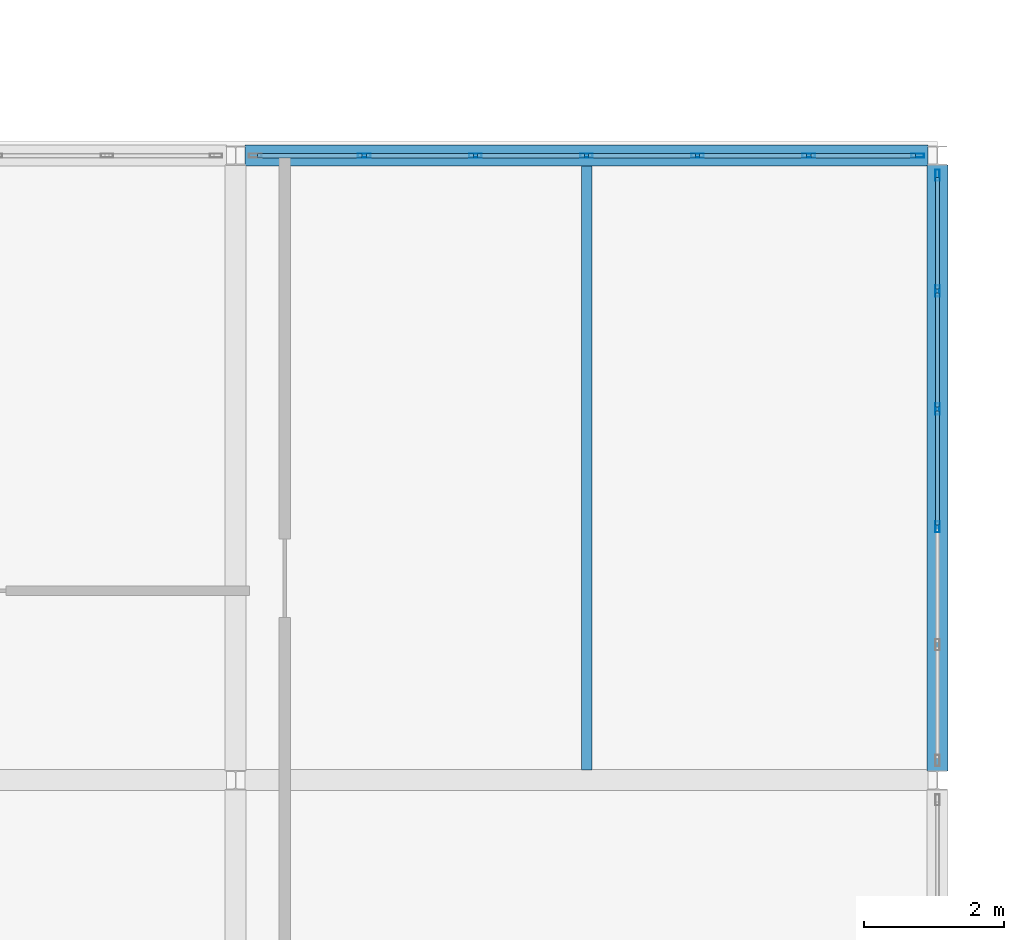
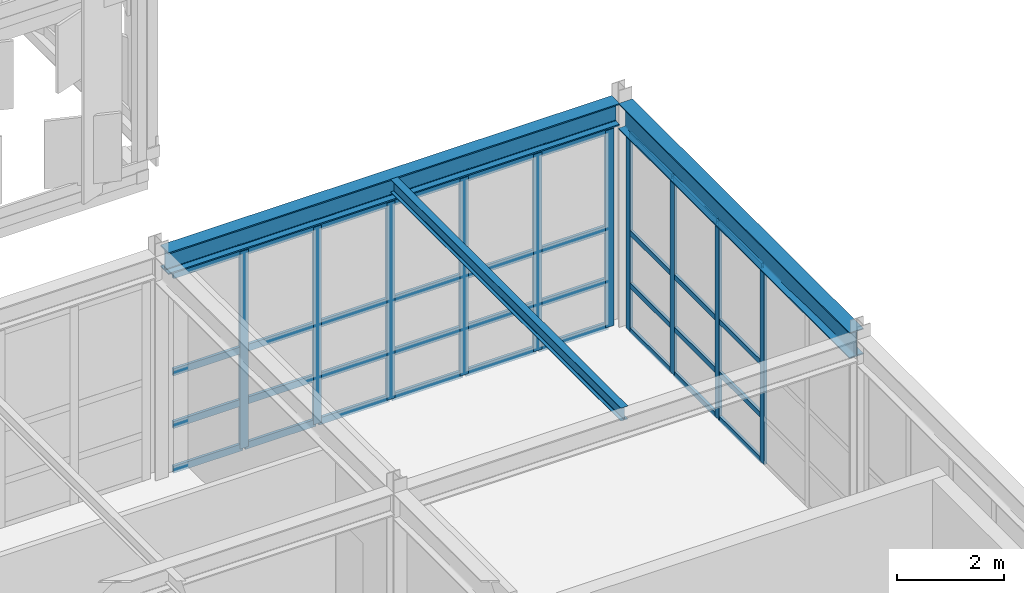
# One storey, part 154 of 239: 46 members, 3 beams, 2 elements without a shape of their own.
"""IFC4 building model written with IfcOpenShell, lengths in metres."""

from ifc_helpers import new_model, si_unit, direction, frame, origin, origin_2d, place, context, subcontext, project, spatial, hollow_rectangle, i_section, extrude, material, material_profile, profile_set, type_object, element, aggregate, save


model = new_model("IFC4")

# Units and contexts
model_context = context("Model", 3, precision=1e-05, world=origin(), true_north=direction((0.0, 1.0)))
body_context = subcontext(model_context, "Body", "Model", "MODEL_VIEW")
ifc_project = project(units=[si_unit("LENGTHUNIT", "METRE"), si_unit("AREAUNIT", "SQUARE_METRE"), si_unit("VOLUMEUNIT", "CUBIC_METRE"), si_unit("PLANEANGLEUNIT", "RADIAN"), si_unit("MASSUNIT", "GRAM", prefix="KILO")], contexts=[model_context])

# Site, building, storey
site_placement = place(None, origin())
site = spatial("IfcSite", under=ifc_project, at=site_placement, CompositionType="ELEMENT")
building_placement = place(site_placement, origin())
building = spatial("IfcBuilding", under=site, at=building_placement, Name="Kaldris Quays Convention Centre", CompositionType="ELEMENT")
storey_placement = place(building_placement, frame((0.0, 0.0, 11.39990234375)))
storey = spatial("IfcBuildingStorey", under=building, at=storey_placement, Name="L02", CompositionType="ELEMENT", Elevation=11.39990234375)

# Curtain wall, members
ifc_material_1 = material(Name="Anodized aluminium AW-6060 and triple glazing", Category="aluminium")
curtain_wall_type = type_object("IfcCurtainWallType", Name="UNITISED CURTAIN WALL CW02", PredefinedType="NOTDEFINED", material=ifc_material_1)
curtain_wall_1_placement = place(storey_placement, origin())
curtain_wall_1 = element("IfcCurtainWall", 1, at=curtain_wall_1_placement, inside=storey, type_object=curtain_wall_type, Name="L02 Unitised Curtain Wall CW02 212", PredefinedType="NOTDEFINED")
ifc_material_2 = material(Name="Anodized aluminium AW-6060", Category="aluminium")
ifc_material_profile_1 = material_profile(ifc_material_2, hollow_rectangle(XDim=0.06005859375, YDim=0.159912109375, WallThickness=0.00390625, at=origin_2d()), Name="RHS 160x60x4")
ifc_profile_set_1 = profile_set([ifc_material_profile_1], Name="Anodized aluminium AW-6060")
member_type_1 = type_object("IfcMemberType", Name="CURTAIN MULLION CWM1", PredefinedType="MULLION", material=ifc_profile_set_1)
member_1_placement = place(storey_placement, frame((204.0, 32.110107421875, 0.0), z_axis=(0.0, 0.0, 1.0), x_axis=(-1.0, 0.0, 0.0)))
member_1 = element("IfcMember", 2, at=member_1_placement, type_object=member_type_1, Name="CW02 mullion 3", PredefinedType="MULLION", context=body_context, shape_type="SweptSolid", body=[
    extrude(hollow_rectangle(XDim=0.06005859375, YDim=0.159912109375, WallThickness=0.00390625, at=origin_2d()), origin(), (0.0, 0.0, 1.0), 4.498046875),
])
member_2_placement = place(storey_placement, frame((204.0, 33.7900390625, 0.0), z_axis=(0.0, 0.0, 1.0), x_axis=(-1.0, 0.0, 0.0)))
member_2 = element("IfcMember", 3, at=member_2_placement, type_object=member_type_1, Name="CW02 mullion 4", PredefinedType="MULLION", context=body_context, shape_type="SweptSolid", body=[
    extrude(hollow_rectangle(XDim=0.06005859375, YDim=0.159912109375, WallThickness=0.00390625, at=origin_2d()), origin(), (0.0, 0.0, 1.0), 4.498046875),
])
member_3_placement = place(storey_placement, frame((204.0, 35.469970703125, 0.0), z_axis=(0.0, 0.0, 1.0), x_axis=(-1.0, 0.0, 0.0)))
member_3 = element("IfcMember", 4, at=member_3_placement, type_object=member_type_1, Name="CW02 mullion 5", PredefinedType="MULLION", context=body_context, shape_type="SweptSolid", body=[
    extrude(hollow_rectangle(XDim=0.06005859375, YDim=0.159912109375, WallThickness=0.00390625, at=origin_2d()), origin(), (0.0, 0.0, 1.0), 4.498046875),
])
member_4_placement = place(storey_placement, frame((204.0, 37.1201171875, 0.0), z_axis=(0.0, 0.0, 1.0), x_axis=(-1.0, 0.0, 0.0)))
member_4 = element("IfcMember", 5, at=member_4_placement, type_object=member_type_1, Name="CW02 mullion 6", PredefinedType="MULLION", context=body_context, shape_type="SweptSolid", body=[
    extrude(hollow_rectangle(XDim=0.06005859375, YDim=0.159912109375, WallThickness=0.00390625, at=origin_2d()), origin(), (0.0, 0.0, 1.0), 4.498046875),
])

curtain_wall_2_placement = place(storey_placement, origin())
curtain_wall_2 = element("IfcCurtainWall", 6, at=curtain_wall_2_placement, inside=storey, type_object=curtain_wall_type, Name="L02 Unitised Curtain Wall CW02 208", PredefinedType="NOTDEFINED")
ifc_material_profile_2 = material_profile(ifc_material_2, hollow_rectangle(XDim=0.06005859375, YDim=0.179931640625, WallThickness=0.0048828125, at=origin_2d()), Name="RHS 180x60x5")
ifc_profile_set_2 = profile_set([ifc_material_profile_2], Name="Anodized aluminium AW-6060")
member_type_2 = type_object("IfcMemberType", Name="CURTAIN MULLION CWM2", PredefinedType="MULLION", material=ifc_profile_set_2)
member_5_placement = place(storey_placement, frame((195.833251953125, 37.39990234375, 0.0), z_axis=(0.0, 0.0, 1.0), x_axis=(0.0, 1.0, 0.0)))
member_5 = element("IfcMember", 7, at=member_5_placement, type_object=member_type_2, Name="CW02 mullion 2", PredefinedType="MULLION", context=body_context, shape_type="SweptSolid", body=[
    extrude(hollow_rectangle(XDim=0.06005859375, YDim=0.179931640625, WallThickness=0.0048828125, at=origin_2d()), origin(), (0.0, 0.0, 1.0), 4.498046875),
])
member_6_placement = place(storey_placement, frame((197.416748046875, 37.39990234375, 0.0), z_axis=(0.0, 0.0, 1.0), x_axis=(0.0, 1.0, 0.0)))
member_6 = element("IfcMember", 8, at=member_6_placement, type_object=member_type_2, Name="CW02 mullion 3", PredefinedType="MULLION", context=body_context, shape_type="SweptSolid", body=[
    extrude(hollow_rectangle(XDim=0.06005859375, YDim=0.179931640625, WallThickness=0.0048828125, at=origin_2d()), origin(), (0.0, 0.0, 1.0), 4.498046875),
])
member_7_placement = place(storey_placement, frame((199.0, 37.39990234375, 0.0), z_axis=(0.0, 0.0, 1.0), x_axis=(0.0, 1.0, 0.0)))
member_7 = element("IfcMember", 9, at=member_7_placement, type_object=member_type_2, Name="CW02 mullion 4", PredefinedType="MULLION", context=body_context, shape_type="SweptSolid", body=[
    extrude(hollow_rectangle(XDim=0.06005859375, YDim=0.179931640625, WallThickness=0.0048828125, at=origin_2d()), origin(), (0.0, 0.0, 1.0), 4.498046875),
])
member_8_placement = place(storey_placement, frame((200.583251953125, 37.39990234375, 0.0), z_axis=(0.0, 0.0, 1.0), x_axis=(0.0, 1.0, 0.0)))
member_8 = element("IfcMember", 10, at=member_8_placement, type_object=member_type_2, Name="CW02 mullion 5", PredefinedType="MULLION", context=body_context, shape_type="SweptSolid", body=[
    extrude(hollow_rectangle(XDim=0.06005859375, YDim=0.179931640625, WallThickness=0.0048828125, at=origin_2d()), origin(), (0.0, 0.0, 1.0), 4.498046875),
])
member_9_placement = place(storey_placement, frame((202.166748046875, 37.39990234375, 0.0), z_axis=(0.0, 0.0, 1.0), x_axis=(0.0, 1.0, 0.0)))
member_9 = element("IfcMember", 11, at=member_9_placement, type_object=member_type_2, Name="CW02 mullion 6", PredefinedType="MULLION", context=body_context, shape_type="SweptSolid", body=[
    extrude(hollow_rectangle(XDim=0.06005859375, YDim=0.179931640625, WallThickness=0.0048828125, at=origin_2d()), origin(), (0.0, 0.0, 1.0), 4.498046875),
])
member_10_placement = place(storey_placement, frame((203.719970703125, 37.39990234375, 0.0), z_axis=(0.0, 0.0, 1.0), x_axis=(0.0, 1.0, 0.0)))
member_10 = element("IfcMember", 12, at=member_10_placement, type_object=member_type_2, Name="CW02 mullion 7", PredefinedType="MULLION", context=body_context, shape_type="SweptSolid", body=[
    extrude(hollow_rectangle(XDim=0.06005859375, YDim=0.179931640625, WallThickness=0.0048828125, at=origin_2d()), origin(), (0.0, 0.0, 1.0), 4.498046875),
])

# Member
ifc_material_profile_3 = material_profile(ifc_material_2, hollow_rectangle(XDim=0.06005859375, YDim=0.1201171875, WallThickness=0.00390625, at=origin_2d()), Name="RHS 120x60x4")
ifc_profile_set_3 = profile_set([ifc_material_profile_3], Name="Anodized aluminium AW-6060")
member_type_3 = type_object("IfcMemberType", Name="CURTAIN TRANSOM CWT1", PredefinedType="USERDEFINED", material=ifc_profile_set_3)
member_11_placement = place(storey_placement, frame((204.0, 32.139892578125, 0.030029296875), z_axis=(0.0, 1.0, 0.0), x_axis=(-1.0, 0.0, 0.0)))
member_11 = element("IfcMember", 13, at=member_11_placement, type_object=member_type_3, Name="CW02 transom 3.1", ObjectType="TRANSOM", PredefinedType="USERDEFINED", context=body_context, shape_type="SweptSolid", body=[
    extrude(hollow_rectangle(XDim=0.06005859375, YDim=0.1201171875, WallThickness=0.00390625, at=origin_2d()), origin(), (0.0, 0.0, 1.0), 1.6201171875),
])

member_12_placement = place(storey_placement, frame((204.0, 32.139892578125, 1.050048828125), z_axis=(0.0, 1.0, 0.0), x_axis=(-1.0, 0.0, 0.0)))
member_12 = element("IfcMember", 14, at=member_12_placement, type_object=member_type_3, Name="CW02 transom 3.2", ObjectType="TRANSOM", PredefinedType="USERDEFINED", context=body_context, shape_type="SweptSolid", body=[
    extrude(hollow_rectangle(XDim=0.06005859375, YDim=0.1201171875, WallThickness=0.00390625, at=origin_2d()), origin(), (0.0, 0.0, 1.0), 1.6201171875),
])

member_13_placement = place(storey_placement, frame((204.0, 32.139892578125, 2.2490234375), z_axis=(0.0, 1.0, 0.0), x_axis=(-1.0, 0.0, 0.0)))
member_13 = element("IfcMember", 15, at=member_13_placement, type_object=member_type_3, Name="CW02 transom 3.3", ObjectType="TRANSOM", PredefinedType="USERDEFINED", context=body_context, shape_type="SweptSolid", body=[
    extrude(hollow_rectangle(XDim=0.06005859375, YDim=0.1201171875, WallThickness=0.00390625, at=origin_2d()), origin(), (0.0, 0.0, 1.0), 1.6201171875),
])

member_14_placement = place(storey_placement, frame((204.0, 32.139892578125, 4.468017578125), z_axis=(0.0, 1.0, 0.0), x_axis=(-1.0, 0.0, 0.0)))
member_14 = element("IfcMember", 16, at=member_14_placement, type_object=member_type_3, Name="CW02 transom 3.4", ObjectType="TRANSOM", PredefinedType="USERDEFINED", context=body_context, shape_type="SweptSolid", body=[
    extrude(hollow_rectangle(XDim=0.06005859375, YDim=0.1201171875, WallThickness=0.00390625, at=origin_2d()), origin(), (0.0, 0.0, 1.0), 1.6201171875),
])

member_15_placement = place(storey_placement, frame((204.0, 33.820068359375, 0.030029296875), z_axis=(0.0, 1.0, 0.0), x_axis=(-1.0, 0.0, 0.0)))
member_15 = element("IfcMember", 17, at=member_15_placement, type_object=member_type_3, Name="CW02 transom 4.1", ObjectType="TRANSOM", PredefinedType="USERDEFINED", context=body_context, shape_type="SweptSolid", body=[
    extrude(hollow_rectangle(XDim=0.06005859375, YDim=0.1201171875, WallThickness=0.00390625, at=origin_2d()), origin(), (0.0, 0.0, 1.0), 1.619873046875),
])

member_16_placement = place(storey_placement, frame((204.0, 33.820068359375, 1.050048828125), z_axis=(0.0, 1.0, 0.0), x_axis=(-1.0, 0.0, 0.0)))
member_16 = element("IfcMember", 18, at=member_16_placement, type_object=member_type_3, Name="CW02 transom 4.2", ObjectType="TRANSOM", PredefinedType="USERDEFINED", context=body_context, shape_type="SweptSolid", body=[
    extrude(hollow_rectangle(XDim=0.06005859375, YDim=0.1201171875, WallThickness=0.00390625, at=origin_2d()), origin(), (0.0, 0.0, 1.0), 1.619873046875),
])

member_17_placement = place(storey_placement, frame((204.0, 33.820068359375, 2.2490234375), z_axis=(0.0, 1.0, 0.0), x_axis=(-1.0, 0.0, 0.0)))
member_17 = element("IfcMember", 19, at=member_17_placement, type_object=member_type_3, Name="CW02 transom 4.3", ObjectType="TRANSOM", PredefinedType="USERDEFINED", context=body_context, shape_type="SweptSolid", body=[
    extrude(hollow_rectangle(XDim=0.06005859375, YDim=0.1201171875, WallThickness=0.00390625, at=origin_2d()), origin(), (0.0, 0.0, 1.0), 1.619873046875),
])

member_18_placement = place(storey_placement, frame((204.0, 33.820068359375, 4.468017578125), z_axis=(0.0, 1.0, 0.0), x_axis=(-1.0, 0.0, 0.0)))
member_18 = element("IfcMember", 20, at=member_18_placement, type_object=member_type_3, Name="CW02 transom 4.4", ObjectType="TRANSOM", PredefinedType="USERDEFINED", context=body_context, shape_type="SweptSolid", body=[
    extrude(hollow_rectangle(XDim=0.06005859375, YDim=0.1201171875, WallThickness=0.00390625, at=origin_2d()), origin(), (0.0, 0.0, 1.0), 1.619873046875),
])

member_19_placement = place(storey_placement, frame((204.0, 35.5, 0.030029296875), z_axis=(0.0, 1.0, 0.0), x_axis=(-1.0, 0.0, 0.0)))
member_19 = element("IfcMember", 21, at=member_19_placement, type_object=member_type_3, Name="CW02 transom 5.1", ObjectType="TRANSOM", PredefinedType="USERDEFINED", context=body_context, shape_type="SweptSolid", body=[
    extrude(hollow_rectangle(XDim=0.06005859375, YDim=0.1201171875, WallThickness=0.00390625, at=origin_2d()), origin(), (0.0, 0.0, 1.0), 1.590087890625),
])

member_20_placement = place(storey_placement, frame((204.0, 35.5, 1.050048828125), z_axis=(0.0, 1.0, 0.0), x_axis=(-1.0, 0.0, 0.0)))
member_20 = element("IfcMember", 22, at=member_20_placement, type_object=member_type_3, Name="CW02 transom 5.2", ObjectType="TRANSOM", PredefinedType="USERDEFINED", context=body_context, shape_type="SweptSolid", body=[
    extrude(hollow_rectangle(XDim=0.06005859375, YDim=0.1201171875, WallThickness=0.00390625, at=origin_2d()), origin(), (0.0, 0.0, 1.0), 1.590087890625),
])

member_21_placement = place(storey_placement, frame((204.0, 35.5, 2.2490234375), z_axis=(0.0, 1.0, 0.0), x_axis=(-1.0, 0.0, 0.0)))
member_21 = element("IfcMember", 23, at=member_21_placement, type_object=member_type_3, Name="CW02 transom 5.3", ObjectType="TRANSOM", PredefinedType="USERDEFINED", context=body_context, shape_type="SweptSolid", body=[
    extrude(hollow_rectangle(XDim=0.06005859375, YDim=0.1201171875, WallThickness=0.00390625, at=origin_2d()), origin(), (0.0, 0.0, 1.0), 1.590087890625),
])

member_22_placement = place(storey_placement, frame((204.0, 35.5, 4.468017578125), z_axis=(0.0, 1.0, 0.0), x_axis=(-1.0, 0.0, 0.0)))
member_22 = element("IfcMember", 24, at=member_22_placement, type_object=member_type_3, Name="CW02 transom 5.4", ObjectType="TRANSOM", PredefinedType="USERDEFINED", context=body_context, shape_type="SweptSolid", body=[
    extrude(hollow_rectangle(XDim=0.06005859375, YDim=0.1201171875, WallThickness=0.00390625, at=origin_2d()), origin(), (0.0, 0.0, 1.0), 1.590087890625),
])

aggregate(curtain_wall_1, [member_1, member_2, member_3, member_4, member_11, member_12, member_13, member_14, member_15, member_16, member_17, member_18, member_19, member_20, member_21, member_22])

ifc_material_profile_4 = material_profile(ifc_material_2, hollow_rectangle(XDim=0.06005859375, YDim=0.159912109375, WallThickness=0.00390625, at=origin_2d()), Name="RHS 160x60x4")
ifc_profile_set_4 = profile_set([ifc_material_profile_4], Name="Anodized aluminium AW-6060")
member_type_4 = type_object("IfcMemberType", Name="CURTAIN TRANSOM CWT2", PredefinedType="USERDEFINED", material=ifc_profile_set_4)
member_23_placement = place(storey_placement, frame((194.31005859375, 37.39990234375, 0.030029296875), z_axis=(1.0, 0.0, 0.0), x_axis=(0.0, 1.0, 0.0)))
member_23 = element("IfcMember", 25, at=member_23_placement, type_object=member_type_4, Name="CW02 transom 1.1", ObjectType="TRANSOM", PredefinedType="USERDEFINED", context=body_context, shape_type="SweptSolid", body=[
    extrude(hollow_rectangle(XDim=0.06005859375, YDim=0.159912109375, WallThickness=0.00390625, at=origin_2d()), origin(), (0.0, 0.0, 1.0), 1.4931640625),
])

member_24_placement = place(storey_placement, frame((194.31005859375, 37.39990234375, 1.050048828125), z_axis=(1.0, 0.0, 0.0), x_axis=(0.0, 1.0, 0.0)))
member_24 = element("IfcMember", 26, at=member_24_placement, type_object=member_type_4, Name="CW02 transom 1.2", ObjectType="TRANSOM", PredefinedType="USERDEFINED", context=body_context, shape_type="SweptSolid", body=[
    extrude(hollow_rectangle(XDim=0.06005859375, YDim=0.159912109375, WallThickness=0.00390625, at=origin_2d()), origin(), (0.0, 0.0, 1.0), 1.4931640625),
])

member_25_placement = place(storey_placement, frame((194.31005859375, 37.39990234375, 2.2490234375), z_axis=(1.0, 0.0, 0.0), x_axis=(0.0, 1.0, 0.0)))
member_25 = element("IfcMember", 27, at=member_25_placement, type_object=member_type_4, Name="CW02 transom 1.3", ObjectType="TRANSOM", PredefinedType="USERDEFINED", context=body_context, shape_type="SweptSolid", body=[
    extrude(hollow_rectangle(XDim=0.06005859375, YDim=0.159912109375, WallThickness=0.00390625, at=origin_2d()), origin(), (0.0, 0.0, 1.0), 1.4931640625),
])

member_26_placement = place(storey_placement, frame((194.31005859375, 37.39990234375, 4.468017578125), z_axis=(1.0, 0.0, 0.0), x_axis=(0.0, 1.0, 0.0)))
member_26 = element("IfcMember", 28, at=member_26_placement, type_object=member_type_4, Name="CW02 transom 1.4", ObjectType="TRANSOM", PredefinedType="USERDEFINED", context=body_context, shape_type="SweptSolid", body=[
    extrude(hollow_rectangle(XDim=0.06005859375, YDim=0.159912109375, WallThickness=0.00390625, at=origin_2d()), origin(), (0.0, 0.0, 1.0), 1.4931640625),
])

member_27_placement = place(storey_placement, frame((195.86328125, 37.39990234375, 0.030029296875), z_axis=(1.0, 0.0, 0.0), x_axis=(0.0, 1.0, 0.0)))
member_27 = element("IfcMember", 29, at=member_27_placement, type_object=member_type_4, Name="CW02 transom 2.1", ObjectType="TRANSOM", PredefinedType="USERDEFINED", context=body_context, shape_type="SweptSolid", body=[
    extrude(hollow_rectangle(XDim=0.06005859375, YDim=0.159912109375, WallThickness=0.00390625, at=origin_2d()), origin(), (0.0, 0.0, 1.0), 1.5234375),
])

member_28_placement = place(storey_placement, frame((195.86328125, 37.39990234375, 1.050048828125), z_axis=(1.0, 0.0, 0.0), x_axis=(0.0, 1.0, 0.0)))
member_28 = element("IfcMember", 30, at=member_28_placement, type_object=member_type_4, Name="CW02 transom 2.2", ObjectType="TRANSOM", PredefinedType="USERDEFINED", context=body_context, shape_type="SweptSolid", body=[
    extrude(hollow_rectangle(XDim=0.06005859375, YDim=0.159912109375, WallThickness=0.00390625, at=origin_2d()), origin(), (0.0, 0.0, 1.0), 1.5234375),
])

member_29_placement = place(storey_placement, frame((195.86328125, 37.39990234375, 2.2490234375), z_axis=(1.0, 0.0, 0.0), x_axis=(0.0, 1.0, 0.0)))
member_29 = element("IfcMember", 31, at=member_29_placement, type_object=member_type_4, Name="CW02 transom 2.3", ObjectType="TRANSOM", PredefinedType="USERDEFINED", context=body_context, shape_type="SweptSolid", body=[
    extrude(hollow_rectangle(XDim=0.06005859375, YDim=0.159912109375, WallThickness=0.00390625, at=origin_2d()), origin(), (0.0, 0.0, 1.0), 1.5234375),
])

member_30_placement = place(storey_placement, frame((195.86328125, 37.39990234375, 4.468017578125), z_axis=(1.0, 0.0, 0.0), x_axis=(0.0, 1.0, 0.0)))
member_30 = element("IfcMember", 32, at=member_30_placement, type_object=member_type_4, Name="CW02 transom 2.4", ObjectType="TRANSOM", PredefinedType="USERDEFINED", context=body_context, shape_type="SweptSolid", body=[
    extrude(hollow_rectangle(XDim=0.06005859375, YDim=0.159912109375, WallThickness=0.00390625, at=origin_2d()), origin(), (0.0, 0.0, 1.0), 1.5234375),
])

member_31_placement = place(storey_placement, frame((197.44677734375, 37.39990234375, 0.030029296875), z_axis=(1.0, 0.0, 0.0), x_axis=(0.0, 1.0, 0.0)))
member_31 = element("IfcMember", 33, at=member_31_placement, type_object=member_type_4, Name="CW02 transom 3.1", ObjectType="TRANSOM", PredefinedType="USERDEFINED", context=body_context, shape_type="SweptSolid", body=[
    extrude(hollow_rectangle(XDim=0.06005859375, YDim=0.159912109375, WallThickness=0.00390625, at=origin_2d()), origin(), (0.0, 0.0, 1.0), 1.523193359375),
])

member_32_placement = place(storey_placement, frame((197.44677734375, 37.39990234375, 1.050048828125), z_axis=(1.0, 0.0, 0.0), x_axis=(0.0, 1.0, 0.0)))
member_32 = element("IfcMember", 34, at=member_32_placement, type_object=member_type_4, Name="CW02 transom 3.2", ObjectType="TRANSOM", PredefinedType="USERDEFINED", context=body_context, shape_type="SweptSolid", body=[
    extrude(hollow_rectangle(XDim=0.06005859375, YDim=0.159912109375, WallThickness=0.00390625, at=origin_2d()), origin(), (0.0, 0.0, 1.0), 1.523193359375),
])

member_33_placement = place(storey_placement, frame((197.44677734375, 37.39990234375, 2.2490234375), z_axis=(1.0, 0.0, 0.0), x_axis=(0.0, 1.0, 0.0)))
member_33 = element("IfcMember", 35, at=member_33_placement, type_object=member_type_4, Name="CW02 transom 3.3", ObjectType="TRANSOM", PredefinedType="USERDEFINED", context=body_context, shape_type="SweptSolid", body=[
    extrude(hollow_rectangle(XDim=0.06005859375, YDim=0.159912109375, WallThickness=0.00390625, at=origin_2d()), origin(), (0.0, 0.0, 1.0), 1.523193359375),
])

member_34_placement = place(storey_placement, frame((197.44677734375, 37.39990234375, 4.468017578125), z_axis=(1.0, 0.0, 0.0), x_axis=(0.0, 1.0, 0.0)))
member_34 = element("IfcMember", 36, at=member_34_placement, type_object=member_type_4, Name="CW02 transom 3.4", ObjectType="TRANSOM", PredefinedType="USERDEFINED", context=body_context, shape_type="SweptSolid", body=[
    extrude(hollow_rectangle(XDim=0.06005859375, YDim=0.159912109375, WallThickness=0.00390625, at=origin_2d()), origin(), (0.0, 0.0, 1.0), 1.523193359375),
])

member_35_placement = place(storey_placement, frame((199.030029296875, 37.39990234375, 0.030029296875), z_axis=(1.0, 0.0, 0.0), x_axis=(0.0, 1.0, 0.0)))
member_35 = element("IfcMember", 37, at=member_35_placement, type_object=member_type_4, Name="CW02 transom 4.1", ObjectType="TRANSOM", PredefinedType="USERDEFINED", context=body_context, shape_type="SweptSolid", body=[
    extrude(hollow_rectangle(XDim=0.06005859375, YDim=0.159912109375, WallThickness=0.00390625, at=origin_2d()), origin(), (0.0, 0.0, 1.0), 1.523193359375),
])

member_36_placement = place(storey_placement, frame((199.030029296875, 37.39990234375, 1.050048828125), z_axis=(1.0, 0.0, 0.0), x_axis=(0.0, 1.0, 0.0)))
member_36 = element("IfcMember", 38, at=member_36_placement, type_object=member_type_4, Name="CW02 transom 4.2", ObjectType="TRANSOM", PredefinedType="USERDEFINED", context=body_context, shape_type="SweptSolid", body=[
    extrude(hollow_rectangle(XDim=0.06005859375, YDim=0.159912109375, WallThickness=0.00390625, at=origin_2d()), origin(), (0.0, 0.0, 1.0), 1.523193359375),
])

member_37_placement = place(storey_placement, frame((199.030029296875, 37.39990234375, 2.2490234375), z_axis=(1.0, 0.0, 0.0), x_axis=(0.0, 1.0, 0.0)))
member_37 = element("IfcMember", 39, at=member_37_placement, type_object=member_type_4, Name="CW02 transom 4.3", ObjectType="TRANSOM", PredefinedType="USERDEFINED", context=body_context, shape_type="SweptSolid", body=[
    extrude(hollow_rectangle(XDim=0.06005859375, YDim=0.159912109375, WallThickness=0.00390625, at=origin_2d()), origin(), (0.0, 0.0, 1.0), 1.523193359375),
])

member_38_placement = place(storey_placement, frame((199.030029296875, 37.39990234375, 4.468017578125), z_axis=(1.0, 0.0, 0.0), x_axis=(0.0, 1.0, 0.0)))
member_38 = element("IfcMember", 40, at=member_38_placement, type_object=member_type_4, Name="CW02 transom 4.4", ObjectType="TRANSOM", PredefinedType="USERDEFINED", context=body_context, shape_type="SweptSolid", body=[
    extrude(hollow_rectangle(XDim=0.06005859375, YDim=0.159912109375, WallThickness=0.00390625, at=origin_2d()), origin(), (0.0, 0.0, 1.0), 1.523193359375),
])

member_39_placement = place(storey_placement, frame((200.61328125, 37.39990234375, 0.030029296875), z_axis=(1.0, 0.0, 0.0), x_axis=(0.0, 1.0, 0.0)))
member_39 = element("IfcMember", 41, at=member_39_placement, type_object=member_type_4, Name="CW02 transom 5.1", ObjectType="TRANSOM", PredefinedType="USERDEFINED", context=body_context, shape_type="SweptSolid", body=[
    extrude(hollow_rectangle(XDim=0.06005859375, YDim=0.159912109375, WallThickness=0.00390625, at=origin_2d()), origin(), (0.0, 0.0, 1.0), 1.5234375),
])

member_40_placement = place(storey_placement, frame((200.61328125, 37.39990234375, 1.050048828125), z_axis=(1.0, 0.0, 0.0), x_axis=(0.0, 1.0, 0.0)))
member_40 = element("IfcMember", 42, at=member_40_placement, type_object=member_type_4, Name="CW02 transom 5.2", ObjectType="TRANSOM", PredefinedType="USERDEFINED", context=body_context, shape_type="SweptSolid", body=[
    extrude(hollow_rectangle(XDim=0.06005859375, YDim=0.159912109375, WallThickness=0.00390625, at=origin_2d()), origin(), (0.0, 0.0, 1.0), 1.5234375),
])

member_41_placement = place(storey_placement, frame((200.61328125, 37.39990234375, 2.2490234375), z_axis=(1.0, 0.0, 0.0), x_axis=(0.0, 1.0, 0.0)))
member_41 = element("IfcMember", 43, at=member_41_placement, type_object=member_type_4, Name="CW02 transom 5.3", ObjectType="TRANSOM", PredefinedType="USERDEFINED", context=body_context, shape_type="SweptSolid", body=[
    extrude(hollow_rectangle(XDim=0.06005859375, YDim=0.159912109375, WallThickness=0.00390625, at=origin_2d()), origin(), (0.0, 0.0, 1.0), 1.5234375),
])

member_42_placement = place(storey_placement, frame((200.61328125, 37.39990234375, 4.468017578125), z_axis=(1.0, 0.0, 0.0), x_axis=(0.0, 1.0, 0.0)))
member_42 = element("IfcMember", 44, at=member_42_placement, type_object=member_type_4, Name="CW02 transom 5.4", ObjectType="TRANSOM", PredefinedType="USERDEFINED", context=body_context, shape_type="SweptSolid", body=[
    extrude(hollow_rectangle(XDim=0.06005859375, YDim=0.159912109375, WallThickness=0.00390625, at=origin_2d()), origin(), (0.0, 0.0, 1.0), 1.5234375),
])

member_43_placement = place(storey_placement, frame((202.19677734375, 37.39990234375, 0.030029296875), z_axis=(1.0, 0.0, 0.0), x_axis=(0.0, 1.0, 0.0)))
member_43 = element("IfcMember", 45, at=member_43_placement, type_object=member_type_4, Name="CW02 transom 6.1", ObjectType="TRANSOM", PredefinedType="USERDEFINED", context=body_context, shape_type="SweptSolid", body=[
    extrude(hollow_rectangle(XDim=0.06005859375, YDim=0.159912109375, WallThickness=0.00390625, at=origin_2d()), origin(), (0.0, 0.0, 1.0), 1.4931640625),
])

member_44_placement = place(storey_placement, frame((202.19677734375, 37.39990234375, 1.050048828125), z_axis=(1.0, 0.0, 0.0), x_axis=(0.0, 1.0, 0.0)))
member_44 = element("IfcMember", 46, at=member_44_placement, type_object=member_type_4, Name="CW02 transom 6.2", ObjectType="TRANSOM", PredefinedType="USERDEFINED", context=body_context, shape_type="SweptSolid", body=[
    extrude(hollow_rectangle(XDim=0.06005859375, YDim=0.159912109375, WallThickness=0.00390625, at=origin_2d()), origin(), (0.0, 0.0, 1.0), 1.4931640625),
])

member_45_placement = place(storey_placement, frame((202.19677734375, 37.39990234375, 2.2490234375), z_axis=(1.0, 0.0, 0.0), x_axis=(0.0, 1.0, 0.0)))
member_45 = element("IfcMember", 47, at=member_45_placement, type_object=member_type_4, Name="CW02 transom 6.3", ObjectType="TRANSOM", PredefinedType="USERDEFINED", context=body_context, shape_type="SweptSolid", body=[
    extrude(hollow_rectangle(XDim=0.06005859375, YDim=0.159912109375, WallThickness=0.00390625, at=origin_2d()), origin(), (0.0, 0.0, 1.0), 1.4931640625),
])

member_46_placement = place(storey_placement, frame((202.19677734375, 37.39990234375, 4.468017578125), z_axis=(1.0, 0.0, 0.0), x_axis=(0.0, 1.0, 0.0)))
member_46 = element("IfcMember", 48, at=member_46_placement, type_object=member_type_4, Name="CW02 transom 6.4", ObjectType="TRANSOM", PredefinedType="USERDEFINED", context=body_context, shape_type="SweptSolid", body=[
    extrude(hollow_rectangle(XDim=0.06005859375, YDim=0.159912109375, WallThickness=0.00390625, at=origin_2d()), origin(), (0.0, 0.0, 1.0), 1.4931640625),
])

aggregate(curtain_wall_2, [member_5, member_6, member_7, member_8, member_9, member_10, member_23, member_24, member_25, member_26, member_27, member_28, member_29, member_30, member_31, member_32, member_33, member_34, member_35, member_36, member_37, member_38, member_39, member_40, member_41, member_42, member_43, member_44, member_45, member_46])

# Beams
ifc_material_3 = material(Name="Steel S355J2", Category="steel")
ifc_material_profile_5 = material_profile(ifc_material_3, i_section(OverallWidth=0.300048828125, OverallDepth=0.5, WebThickness=0.014404296875, FlangeThickness=0.028076171875, FilletRadius=0.027099609375, at=origin_2d()), Name="HEB 500")
ifc_profile_set_5 = profile_set([ifc_material_profile_5], Name="Steel S355J2")
beam_type_1 = type_object("IfcBeamType", Name="STRUCTURAL BEAM BM06", PredefinedType="BEAM", material=ifc_profile_set_5)
beam_1_placement = place(storey_placement, frame((194.134033203125, 37.39990234375, 4.863037109375), z_axis=(1.0, 0.0, 0.0), x_axis=(0.0, 1.0, 0.0)))
element("IfcBeam", 49, at=beam_1_placement, inside=storey, type_object=beam_type_1, Name="L02 Girder BM06 15", PredefinedType="BEAM", context=body_context, shape_type="SweptSolid", body=[
    extrude(i_section(OverallWidth=0.300048828125, OverallDepth=0.5, WebThickness=0.014404296875, FlangeThickness=0.028076171875, FilletRadius=0.027099609375, at=origin_2d()), origin(), (0.0, 0.0, 1.0), 9.73193359375),
])
ifc_material_profile_6 = material_profile(ifc_material_3, i_section(OverallWidth=0.300048828125, OverallDepth=0.590087890625, WebThickness=0.012939453125, FlangeThickness=0.02490234375, FilletRadius=0.027099609375, at=origin_2d()), Name="HEA 600")
ifc_profile_set_6 = profile_set([ifc_material_profile_6], Name="Steel S355J2")
beam_type_2 = type_object("IfcBeamType", Name="STRUCTURAL BEAM BM08", PredefinedType="BEAM", material=ifc_profile_set_6)
beam_2_placement = place(storey_placement, frame((204.0, 28.634033203125, 4.818115234375), z_axis=(0.0, 1.0, 0.0), x_axis=(-1.0, 0.0, 0.0)))
element("IfcBeam", 50, at=beam_2_placement, inside=storey, type_object=beam_type_2, Name="L02 Girder BM08 27", PredefinedType="BEAM", context=body_context, shape_type="SweptSolid", body=[
    extrude(i_section(OverallWidth=0.300048828125, OverallDepth=0.590087890625, WebThickness=0.012939453125, FlangeThickness=0.02490234375, FilletRadius=0.027099609375, at=origin_2d()), origin(), (0.0, 0.0, 1.0), 8.632080078125),
])
ifc_material_profile_7 = material_profile(ifc_material_3, i_section(OverallWidth=0.14990234375, OverallDepth=0.300048828125, WebThickness=0.007080078125, FlangeThickness=0.0107421875, FilletRadius=0.014892578125, at=origin_2d()), Name="IPE 300")
ifc_profile_set_7 = profile_set([ifc_material_profile_7], Name="Steel S355J2")
beam_type_3 = type_object("IfcBeamType", Name="STRUCTURAL BEAM JT04", PredefinedType="JOIST", material=ifc_profile_set_7)
beam_3_placement = place(storey_placement, frame((199.0, 28.64404296875, 4.963134765625), z_axis=(0.0, 1.0, 0.0), x_axis=(-1.0, 0.0, 0.0)))
element("IfcBeam", 51, at=beam_3_placement, inside=storey, type_object=beam_type_3, Name="L02 Secondary Joist JT04 8", PredefinedType="JOIST", context=body_context, shape_type="SweptSolid", body=[
    extrude(i_section(OverallWidth=0.14990234375, OverallDepth=0.300048828125, WebThickness=0.007080078125, FlangeThickness=0.0107421875, FilletRadius=0.014892578125, at=origin_2d()), origin(), (0.0, 0.0, 1.0), 8.612060546875),
])

save(model, "model.ifc")
